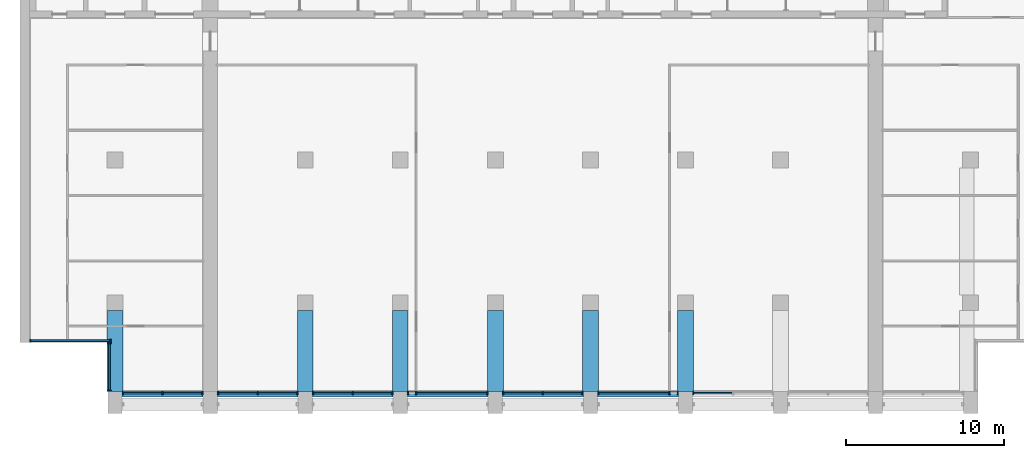
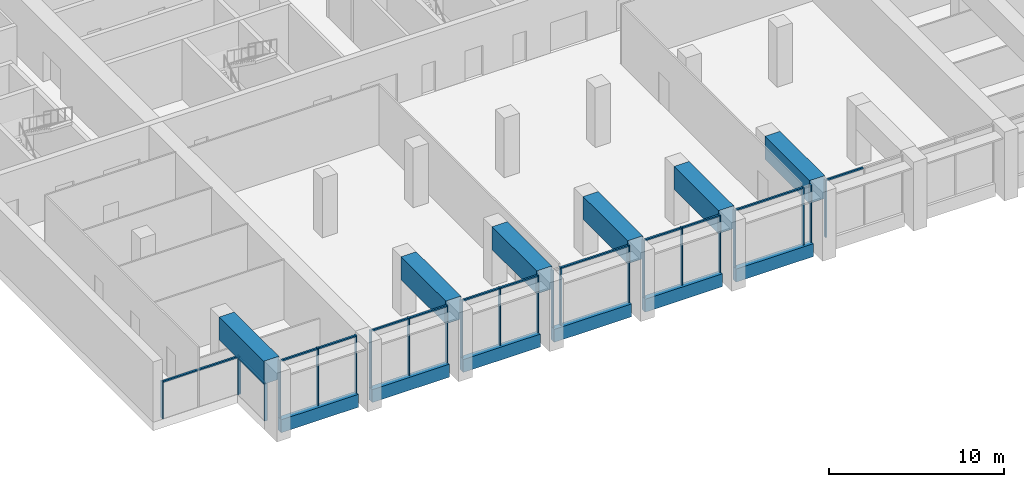
# One storey, part 2 of 13: 36 members, 12 beams, 9 elements without a shape of their own.
"""IFC4 building model written with IfcOpenShell, lengths in metres."""

from ifc_helpers import new_model, si_unit, direction, frame, origin, origin_2d, place, context, subcontext, project, spatial, rectangle, extrude, material, material_profile, profile_set, type_object, element, aggregate, save


model = new_model("IFC4")

# Units and contexts
model_context = context("Model", 3, precision=1e-05, world=origin(), true_north=direction((0.0, 1.0)))
body_context = subcontext(model_context, "Body", "Model", "MODEL_VIEW")
ifc_project = project(units=[si_unit("LENGTHUNIT", "METRE"), si_unit("AREAUNIT", "SQUARE_METRE"), si_unit("VOLUMEUNIT", "CUBIC_METRE"), si_unit("PLANEANGLEUNIT", "RADIAN"), si_unit("MASSUNIT", "GRAM", prefix="KILO")], contexts=[model_context])

# Site, building, storey
site_placement = place(None, origin())
site = spatial("IfcSite", under=ifc_project, at=site_placement, CompositionType="ELEMENT")
building_placement = place(site_placement, origin())
building = spatial("IfcBuilding", under=site, at=building_placement, Name="Calvaro Tower", CompositionType="ELEMENT")
storey_placement = place(building_placement, frame((0.0, 0.0, 226.75)))
storey = spatial("IfcBuildingStorey", under=building, at=storey_placement, Name="L57", CompositionType="ELEMENT", Elevation=226.75)

# Curtain wall, members
ifc_material_1 = material(Name="Anodised aluminium", Category="aluminium")
curtain_wall_type = type_object("IfcCurtainWallType", Name="Louvre wall", PredefinedType="NOTDEFINED", material=ifc_material_1)
curtain_wall_1_placement = place(storey_placement, origin())
curtain_wall_1 = element("IfcCurtainWall", 1, at=curtain_wall_1_placement, inside=storey, type_object=curtain_wall_type, Name="CW8 south louvre wall", PredefinedType="NOTDEFINED")
ifc_material_2 = material(Name="Anodised aluminium", Category="aluminium")
ifc_material_profile_1 = material_profile(ifc_material_2, rectangle(XDim=0.199951171875, YDim=0.080078125, at=origin_2d()), Name="Mullion LV 80 x 200")
ifc_profile_set_1 = profile_set([ifc_material_profile_1], Name="Anodised aluminium")
member_type_1 = type_object("IfcMemberType", Name="Mullion LV 80 x 200", PredefinedType="MULLION", material=ifc_profile_set_1)
member_1_placement = place(storey_placement, frame((12.489990234375, 4.300048828125, 0.0), z_axis=(0.0, 0.0, 1.0), x_axis=(0.0, 1.0, 0.0)))
member_1 = element("IfcMember", 2, at=member_1_placement, type_object=member_type_1, Name="CW8 mullion 1", PredefinedType="MULLION", context=body_context, shape_type="SweptSolid", body=[
    extrude(rectangle(XDim=0.199951171875, YDim=0.080078125, at=origin_2d()), origin(), (0.0, 0.0, 1.0), 4.0),
])
member_2_placement = place(storey_placement, frame((15.0, 4.300048828125, 0.0), z_axis=(0.0, 0.0, 1.0), x_axis=(0.0, 1.0, 0.0)))
member_2 = element("IfcMember", 3, at=member_2_placement, type_object=member_type_1, Name="CW8 mullion 2", PredefinedType="MULLION", context=body_context, shape_type="SweptSolid", body=[
    extrude(rectangle(XDim=0.199951171875, YDim=0.080078125, at=origin_2d()), origin(), (0.0, 0.0, 1.0), 4.0),
])
member_3_placement = place(storey_placement, frame((17.510009765625, 4.300048828125, 0.0), z_axis=(0.0, 0.0, 1.0), x_axis=(0.0, 1.0, 0.0)))
member_3 = element("IfcMember", 4, at=member_3_placement, type_object=member_type_1, Name="CW8 mullion 3", PredefinedType="MULLION", context=body_context, shape_type="SweptSolid", body=[
    extrude(rectangle(XDim=0.199951171875, YDim=0.080078125, at=origin_2d()), origin(), (0.0, 0.0, 1.0), 4.0),
])

curtain_wall_2_placement = place(storey_placement, origin())
curtain_wall_2 = element("IfcCurtainWall", 5, at=curtain_wall_2_placement, inside=storey, type_object=curtain_wall_type, Name="CW8 south louvre wall", PredefinedType="NOTDEFINED")
member_4_placement = place(storey_placement, frame((18.489990234375, 4.300048828125, 0.0), z_axis=(0.0, 0.0, 1.0), x_axis=(0.0, 1.0, 0.0)))
member_4 = element("IfcMember", 6, at=member_4_placement, type_object=member_type_1, Name="CW8 mullion 1", PredefinedType="MULLION", context=body_context, shape_type="SweptSolid", body=[
    extrude(rectangle(XDim=0.199951171875, YDim=0.080078125, at=origin_2d()), origin(), (0.0, 0.0, 1.0), 4.0),
])
member_5_placement = place(storey_placement, frame((21.0, 4.300048828125, 0.0), z_axis=(0.0, 0.0, 1.0), x_axis=(0.0, 1.0, 0.0)))
member_5 = element("IfcMember", 7, at=member_5_placement, type_object=member_type_1, Name="CW8 mullion 2", PredefinedType="MULLION", context=body_context, shape_type="SweptSolid", body=[
    extrude(rectangle(XDim=0.199951171875, YDim=0.080078125, at=origin_2d()), origin(), (0.0, 0.0, 1.0), 4.0),
])
member_6_placement = place(storey_placement, frame((23.510009765625, 4.300048828125, 0.0), z_axis=(0.0, 0.0, 1.0), x_axis=(0.0, 1.0, 0.0)))
member_6 = element("IfcMember", 8, at=member_6_placement, type_object=member_type_1, Name="CW8 mullion 3", PredefinedType="MULLION", context=body_context, shape_type="SweptSolid", body=[
    extrude(rectangle(XDim=0.199951171875, YDim=0.080078125, at=origin_2d()), origin(), (0.0, 0.0, 1.0), 4.0),
])

curtain_wall_3_placement = place(storey_placement, origin())
curtain_wall_3 = element("IfcCurtainWall", 9, at=curtain_wall_3_placement, inside=storey, type_object=curtain_wall_type, Name="CW8 south louvre wall", PredefinedType="NOTDEFINED")
member_7_placement = place(storey_placement, frame((24.489990234375, 4.300048828125, 0.0), z_axis=(0.0, 0.0, 1.0), x_axis=(0.0, 1.0, 0.0)))
member_7 = element("IfcMember", 10, at=member_7_placement, type_object=member_type_1, Name="CW8 mullion 1", PredefinedType="MULLION", context=body_context, shape_type="SweptSolid", body=[
    extrude(rectangle(XDim=0.199951171875, YDim=0.080078125, at=origin_2d()), origin(), (0.0, 0.0, 1.0), 4.0),
])
member_8_placement = place(storey_placement, frame((27.0, 4.300048828125, 0.0), z_axis=(0.0, 0.0, 1.0), x_axis=(0.0, 1.0, 0.0)))
member_8 = element("IfcMember", 11, at=member_8_placement, type_object=member_type_1, Name="CW8 mullion 2", PredefinedType="MULLION", context=body_context, shape_type="SweptSolid", body=[
    extrude(rectangle(XDim=0.199951171875, YDim=0.080078125, at=origin_2d()), origin(), (0.0, 0.0, 1.0), 4.0),
])
member_9_placement = place(storey_placement, frame((29.510009765625, 4.300048828125, 0.0), z_axis=(0.0, 0.0, 1.0), x_axis=(0.0, 1.0, 0.0)))
member_9 = element("IfcMember", 12, at=member_9_placement, type_object=member_type_1, Name="CW8 mullion 3", PredefinedType="MULLION", context=body_context, shape_type="SweptSolid", body=[
    extrude(rectangle(XDim=0.199951171875, YDim=0.080078125, at=origin_2d()), origin(), (0.0, 0.0, 1.0), 4.0),
])

curtain_wall_4_placement = place(storey_placement, origin())
curtain_wall_4 = element("IfcCurtainWall", 13, at=curtain_wall_4_placement, inside=storey, type_object=curtain_wall_type, Name="CW8 south louvre wall", PredefinedType="NOTDEFINED")
member_10_placement = place(storey_placement, frame((30.489990234375, 4.300048828125, 0.0), z_axis=(0.0, 0.0, 1.0), x_axis=(0.0, 1.0, 0.0)))
member_10 = element("IfcMember", 14, at=member_10_placement, type_object=member_type_1, Name="CW8 mullion 1", PredefinedType="MULLION", context=body_context, shape_type="SweptSolid", body=[
    extrude(rectangle(XDim=0.199951171875, YDim=0.080078125, at=origin_2d()), origin(), (0.0, 0.0, 1.0), 4.0),
])
member_11_placement = place(storey_placement, frame((31.0, 4.300048828125, 0.0), z_axis=(0.0, 0.0, 1.0), x_axis=(0.0, 1.0, 0.0)))
member_11 = element("IfcMember", 15, at=member_11_placement, type_object=member_type_1, Name="CW8 mullion 2", PredefinedType="MULLION", context=body_context, shape_type="SweptSolid", body=[
    extrude(rectangle(XDim=0.199951171875, YDim=0.080078125, at=origin_2d()), origin(), (0.0, 0.0, 1.0), 4.0),
])
member_12_placement = place(storey_placement, frame((35.510009765625, 4.300048828125, 0.0), z_axis=(0.0, 0.0, 1.0), x_axis=(0.0, 1.0, 0.0)))
member_12 = element("IfcMember", 16, at=member_12_placement, type_object=member_type_1, Name="CW8 mullion 3", PredefinedType="MULLION", context=body_context, shape_type="SweptSolid", body=[
    extrude(rectangle(XDim=0.199951171875, YDim=0.080078125, at=origin_2d()), origin(), (0.0, 0.0, 1.0), 4.0),
])

curtain_wall_5_placement = place(storey_placement, origin())
curtain_wall_5 = element("IfcCurtainWall", 17, at=curtain_wall_5_placement, inside=storey, type_object=curtain_wall_type, Name="CW8 south louvre wall", PredefinedType="NOTDEFINED")
member_13_placement = place(storey_placement, frame((36.489990234375, 4.300048828125, 0.0), z_axis=(0.0, 0.0, 1.0), x_axis=(0.0, 1.0, 0.0)))
member_13 = element("IfcMember", 18, at=member_13_placement, type_object=member_type_1, Name="CW8 mullion 1", PredefinedType="MULLION", context=body_context, shape_type="SweptSolid", body=[
    extrude(rectangle(XDim=0.199951171875, YDim=0.080078125, at=origin_2d()), origin(), (0.0, 0.0, 1.0), 4.0),
])
member_14_placement = place(storey_placement, frame((39.0, 4.300048828125, 0.0), z_axis=(0.0, 0.0, 1.0), x_axis=(0.0, 1.0, 0.0)))
member_14 = element("IfcMember", 19, at=member_14_placement, type_object=member_type_1, Name="CW8 mullion 2", PredefinedType="MULLION", context=body_context, shape_type="SweptSolid", body=[
    extrude(rectangle(XDim=0.199951171875, YDim=0.080078125, at=origin_2d()), origin(), (0.0, 0.0, 1.0), 4.0),
])
member_15_placement = place(storey_placement, frame((41.510009765625, 4.300048828125, 0.0), z_axis=(0.0, 0.0, 1.0), x_axis=(0.0, 1.0, 0.0)))
member_15 = element("IfcMember", 20, at=member_15_placement, type_object=member_type_1, Name="CW8 mullion 3", PredefinedType="MULLION", context=body_context, shape_type="SweptSolid", body=[
    extrude(rectangle(XDim=0.199951171875, YDim=0.080078125, at=origin_2d()), origin(), (0.0, 0.0, 1.0), 4.0),
])

curtain_wall_6_placement = place(storey_placement, origin())
curtain_wall_6 = element("IfcCurtainWall", 21, at=curtain_wall_6_placement, inside=storey, type_object=curtain_wall_type, Name="CW8 south louvre wall", PredefinedType="NOTDEFINED")
member_16_placement = place(storey_placement, frame((42.489990234375, 4.300048828125, 0.0), z_axis=(0.0, 0.0, 1.0), x_axis=(0.0, 1.0, 0.0)))
member_16 = element("IfcMember", 22, at=member_16_placement, type_object=member_type_1, Name="CW8 mullion 1", PredefinedType="MULLION", context=body_context, shape_type="SweptSolid", body=[
    extrude(rectangle(XDim=0.199951171875, YDim=0.080078125, at=origin_2d()), origin(), (0.0, 0.0, 1.0), 4.0),
])
member_17_placement = place(storey_placement, frame((47.0, 4.300048828125, 0.0), z_axis=(0.0, 0.0, 1.0), x_axis=(0.0, 1.0, 0.0)))
member_17 = element("IfcMember", 23, at=member_17_placement, type_object=member_type_1, Name="CW8 mullion 2", PredefinedType="MULLION", context=body_context, shape_type="SweptSolid", body=[
    extrude(rectangle(XDim=0.199951171875, YDim=0.080078125, at=origin_2d()), origin(), (0.0, 0.0, 1.0), 4.0),
])
member_18_placement = place(storey_placement, frame((47.510009765625, 4.300048828125, 0.0), z_axis=(0.0, 0.0, 1.0), x_axis=(0.0, 1.0, 0.0)))
member_18 = element("IfcMember", 24, at=member_18_placement, type_object=member_type_1, Name="CW8 mullion 3", PredefinedType="MULLION", context=body_context, shape_type="SweptSolid", body=[
    extrude(rectangle(XDim=0.199951171875, YDim=0.080078125, at=origin_2d()), origin(), (0.0, 0.0, 1.0), 4.0),
])

# Curtain wall, member
curtain_wall_7_placement = place(storey_placement, origin())
curtain_wall_7 = element("IfcCurtainWall", 25, at=curtain_wall_7_placement, inside=storey, type_object=curtain_wall_type, Name="CW8 south louvre wall", PredefinedType="NOTDEFINED")
member_19_placement = place(storey_placement, frame((48.489990234375, 4.300048828125, 0.0), z_axis=(0.0, 0.0, 1.0), x_axis=(0.0, 1.0, 0.0)))
member_19 = element("IfcMember", 26, at=member_19_placement, type_object=member_type_1, Name="CW8 mullion 1", PredefinedType="MULLION", context=body_context, shape_type="SweptSolid", body=[
    extrude(rectangle(XDim=0.199951171875, YDim=0.080078125, at=origin_2d()), origin(), (0.0, 0.0, 1.0), 4.0),
])

# Curtain wall, members
curtain_wall_8_placement = place(storey_placement, origin())
curtain_wall_8 = element("IfcCurtainWall", 27, at=curtain_wall_8_placement, inside=storey, type_object=curtain_wall_type, Name="CW8 corner curtain wall", PredefinedType="NOTDEFINED")
member_20_placement = place(storey_placement, frame((11.64990234375, 4.43994140625, 0.0), z_axis=(0.0, 0.0, 1.0), x_axis=(-1.0, 0.0, 0.0)))
member_20 = element("IfcMember", 28, at=member_20_placement, type_object=member_type_1, Name="CW8 mullion 1", PredefinedType="MULLION", context=body_context, shape_type="SweptSolid", body=[
    extrude(rectangle(XDim=0.199951171875, YDim=0.080078125, at=origin_2d()), origin(), (0.0, 0.0, 1.0), 2.59912109375),
])
member_21_placement = place(storey_placement, frame((11.64990234375, 7.4599609375, 0.0), z_axis=(0.0, 0.0, 1.0), x_axis=(-1.0, 0.0, 0.0)))
member_21 = element("IfcMember", 29, at=member_21_placement, type_object=member_type_1, Name="CW8 mullion 2", PredefinedType="MULLION", context=body_context, shape_type="SweptSolid", body=[
    extrude(rectangle(XDim=0.199951171875, YDim=0.080078125, at=origin_2d()), origin(), (0.0, 0.0, 1.0), 2.59912109375),
])

curtain_wall_9_placement = place(storey_placement, origin())
curtain_wall_9 = element("IfcCurtainWall", 30, at=curtain_wall_9_placement, inside=storey, type_object=curtain_wall_type, Name="CW8 corner curtain wall", PredefinedType="NOTDEFINED")
member_22_placement = place(storey_placement, frame((6.639892578125, 7.60009765625, 0.0), z_axis=(0.0, 0.0, 1.0), x_axis=(0.0, 1.0, 0.0)))
member_22 = element("IfcMember", 31, at=member_22_placement, type_object=member_type_1, Name="CW8 mullion 1", PredefinedType="MULLION", context=body_context, shape_type="SweptSolid", body=[
    extrude(rectangle(XDim=0.199951171875, YDim=0.080078125, at=origin_2d()), origin(), (0.0, 0.0, 1.0), 2.59912109375),
])
member_23_placement = place(storey_placement, frame((11.7099609375, 7.60009765625, 0.0), z_axis=(0.0, 0.0, 1.0), x_axis=(0.0, 1.0, 0.0)))
member_23 = element("IfcMember", 32, at=member_23_placement, type_object=member_type_1, Name="CW8 mullion 2", PredefinedType="MULLION", context=body_context, shape_type="SweptSolid", body=[
    extrude(rectangle(XDim=0.199951171875, YDim=0.080078125, at=origin_2d()), origin(), (0.0, 0.0, 1.0), 2.59912109375),
])

# Beams
ifc_material_3 = material(Name="Concrete C50/60 precast", Category="concrete")
ifc_material_profile_2 = material_profile(ifc_material_3, rectangle(XDim=0.35009765625, YDim=0.89990234375, at=origin_2d()), Name="RC 350x900")
ifc_profile_set_2 = profile_set([ifc_material_profile_2], Name="Concrete C50/60 precast")
beam_type_1 = type_object("IfcBeamType", Name="Spandrel beam 350x900 C50/60", PredefinedType="SPANDREL", material=ifc_profile_set_2)
for number, where, z_axis, x_axis, name in (
    (33, (12.449951171875, 4.22509765625, -0.449951171875), (1.0, 0.0, 0.0), (0.0, 1.0, 0.0), "Spandrel beam"),
    (34, (18.449951171875, 4.22509765625, -0.449951171875), (1.0, 0.0, 0.0), (0.0, 1.0, 0.0), "Spandrel beam"),
    (35, (24.449951171875, 4.22509765625, -0.449951171875), (1.0, 0.0, 0.0), (0.0, 1.0, 0.0), "Spandrel beam"),
    (36, (30.449951171875, 4.22509765625, -0.449951171875), (1.0, 0.0, 0.0), (0.0, 1.0, 0.0), "Spandrel beam"),
    (37, (36.449951171875, 4.22509765625, -0.449951171875), (1.0, 0.0, 0.0), (0.0, 1.0, 0.0), "Spandrel beam"),
    (38, (42.449951171875, 4.22509765625, -0.449951171875), (1.0, 0.0, 0.0), (0.0, 1.0, 0.0), "Spandrel beam"),
):
    element("IfcBeam", number, at=place(storey_placement, frame(where, z_axis=z_axis, x_axis=x_axis)), inside=storey, type_object=beam_type_1, Name=name, PredefinedType="SPANDREL", context=body_context, shape_type="SweptSolid", body=[
        extrude(rectangle(XDim=0.35009765625, YDim=0.89990234375, at=origin_2d()), origin(), (0.0, 0.0, 1.0), 5.10009765625),
    ])
ifc_material_4 = material(Name="Concrete C60/75", Category="concrete")
ifc_material_profile_3 = material_profile(ifc_material_4, rectangle(XDim=1.0, YDim=1.60009765625, at=origin_2d()), Name="RC 1000x1600")
ifc_profile_set_3 = profile_set([ifc_material_profile_3], Name="Concrete C60/75")
beam_type_2 = type_object("IfcBeamType", Name="Transfer girder 1000x1600 C60/75", PredefinedType="BEAM", material=ifc_profile_set_3)
for number, where, z_axis, x_axis, name in (
    (39, (12.0, 4.39990234375, 3.39990234375), (0.0, 1.0, 0.0), (-1.0, 0.0, 0.0), "Transfer girder"),
    (40, (24.0, 4.39990234375, 3.39990234375), (0.0, 1.0, 0.0), (-1.0, 0.0, 0.0), "Transfer girder"),
    (41, (30.0, 4.39990234375, 3.39990234375), (0.0, 1.0, 0.0), (-1.0, 0.0, 0.0), "Transfer girder"),
    (42, (36.0, 4.39990234375, 3.39990234375), (0.0, 1.0, 0.0), (-1.0, 0.0, 0.0), "Transfer girder"),
    (43, (42.0, 4.39990234375, 3.39990234375), (0.0, 1.0, 0.0), (-1.0, 0.0, 0.0), "Transfer girder"),
    (44, (48.0, 4.39990234375, 3.39990234375), (0.0, 1.0, 0.0), (-1.0, 0.0, 0.0), "Transfer girder"),
):
    element("IfcBeam", number, at=place(storey_placement, frame(where, z_axis=z_axis, x_axis=x_axis)), inside=storey, type_object=beam_type_2, Name=name, PredefinedType="BEAM", context=body_context, shape_type="SweptSolid", body=[
        extrude(rectangle(XDim=1.0, YDim=1.60009765625, at=origin_2d()), origin(), (0.0, 0.0, 1.0), 5.10009765625),
    ])

# Member
ifc_material_5 = material(Name="Anodised aluminium", Category="aluminium")
ifc_material_profile_4 = material_profile(ifc_material_5, rectangle(XDim=0.1201171875, YDim=0.10009765625, at=origin_2d()), Name="Transom LV 100 x 120")
ifc_profile_set_4 = profile_set([ifc_material_profile_4], Name="Anodised aluminium")
member_type_2 = type_object("IfcMemberType", Name="Transom LV 100 x 120", PredefinedType="USERDEFINED", material=ifc_profile_set_4)
member_24_placement = place(storey_placement, frame((12.530029296875, 4.300048828125, 3.949951171875), z_axis=(1.0, 0.0, 0.0), x_axis=(0.0, 1.0, 0.0)))
member_24 = element("IfcMember", 45, at=member_24_placement, type_object=member_type_2, Name="CW8 transom 1.1", ObjectType="TRANSOM", PredefinedType="USERDEFINED", context=body_context, shape_type="SweptSolid", body=[
    extrude(rectangle(XDim=0.1201171875, YDim=0.10009765625, at=origin_2d()), origin(), (0.0, 0.0, 1.0), 2.429931640625),
])

member_25_placement = place(storey_placement, frame((15.0400390625, 4.300048828125, 3.949951171875), z_axis=(1.0, 0.0, 0.0), x_axis=(0.0, 1.0, 0.0)))
member_25 = element("IfcMember", 46, at=member_25_placement, type_object=member_type_2, Name="CW8 transom 2.1", ObjectType="TRANSOM", PredefinedType="USERDEFINED", context=body_context, shape_type="SweptSolid", body=[
    extrude(rectangle(XDim=0.1201171875, YDim=0.10009765625, at=origin_2d()), origin(), (0.0, 0.0, 1.0), 2.429931640625),
])

aggregate(curtain_wall_1, [member_1, member_2, member_3, member_24, member_25])

member_26_placement = place(storey_placement, frame((18.530029296875, 4.300048828125, 3.949951171875), z_axis=(1.0, 0.0, 0.0), x_axis=(0.0, 1.0, 0.0)))
member_26 = element("IfcMember", 47, at=member_26_placement, type_object=member_type_2, Name="CW8 transom 1.1", ObjectType="TRANSOM", PredefinedType="USERDEFINED", context=body_context, shape_type="SweptSolid", body=[
    extrude(rectangle(XDim=0.1201171875, YDim=0.10009765625, at=origin_2d()), origin(), (0.0, 0.0, 1.0), 2.429931640625),
])

member_27_placement = place(storey_placement, frame((21.0400390625, 4.300048828125, 3.949951171875), z_axis=(1.0, 0.0, 0.0), x_axis=(0.0, 1.0, 0.0)))
member_27 = element("IfcMember", 48, at=member_27_placement, type_object=member_type_2, Name="CW8 transom 2.1", ObjectType="TRANSOM", PredefinedType="USERDEFINED", context=body_context, shape_type="SweptSolid", body=[
    extrude(rectangle(XDim=0.1201171875, YDim=0.10009765625, at=origin_2d()), origin(), (0.0, 0.0, 1.0), 2.429931640625),
])

aggregate(curtain_wall_2, [member_4, member_5, member_6, member_26, member_27])

member_28_placement = place(storey_placement, frame((24.530029296875, 4.300048828125, 3.949951171875), z_axis=(1.0, 0.0, 0.0), x_axis=(0.0, 1.0, 0.0)))
member_28 = element("IfcMember", 49, at=member_28_placement, type_object=member_type_2, Name="CW8 transom 1.1", ObjectType="TRANSOM", PredefinedType="USERDEFINED", context=body_context, shape_type="SweptSolid", body=[
    extrude(rectangle(XDim=0.1201171875, YDim=0.10009765625, at=origin_2d()), origin(), (0.0, 0.0, 1.0), 2.429931640625),
])

member_29_placement = place(storey_placement, frame((27.0400390625, 4.300048828125, 3.949951171875), z_axis=(1.0, 0.0, 0.0), x_axis=(0.0, 1.0, 0.0)))
member_29 = element("IfcMember", 50, at=member_29_placement, type_object=member_type_2, Name="CW8 transom 2.1", ObjectType="TRANSOM", PredefinedType="USERDEFINED", context=body_context, shape_type="SweptSolid", body=[
    extrude(rectangle(XDim=0.1201171875, YDim=0.10009765625, at=origin_2d()), origin(), (0.0, 0.0, 1.0), 2.429931640625),
])

aggregate(curtain_wall_3, [member_7, member_8, member_9, member_28, member_29])

member_30_placement = place(storey_placement, frame((31.0400390625, 4.300048828125, 3.949951171875), z_axis=(1.0, 0.0, 0.0), x_axis=(0.0, 1.0, 0.0)))
member_30 = element("IfcMember", 51, at=member_30_placement, type_object=member_type_2, Name="CW8 transom 2.1", ObjectType="TRANSOM", PredefinedType="USERDEFINED", context=body_context, shape_type="SweptSolid", body=[
    extrude(rectangle(XDim=0.1201171875, YDim=0.10009765625, at=origin_2d()), origin(), (0.0, 0.0, 1.0), 4.429931640625),
])

aggregate(curtain_wall_4, [member_10, member_11, member_12, member_30])

member_31_placement = place(storey_placement, frame((36.530029296875, 4.300048828125, 3.949951171875), z_axis=(1.0, 0.0, 0.0), x_axis=(0.0, 1.0, 0.0)))
member_31 = element("IfcMember", 52, at=member_31_placement, type_object=member_type_2, Name="CW8 transom 1.1", ObjectType="TRANSOM", PredefinedType="USERDEFINED", context=body_context, shape_type="SweptSolid", body=[
    extrude(rectangle(XDim=0.1201171875, YDim=0.10009765625, at=origin_2d()), origin(), (0.0, 0.0, 1.0), 2.429931640625),
])

member_32_placement = place(storey_placement, frame((39.0400390625, 4.300048828125, 3.949951171875), z_axis=(1.0, 0.0, 0.0), x_axis=(0.0, 1.0, 0.0)))
member_32 = element("IfcMember", 53, at=member_32_placement, type_object=member_type_2, Name="CW8 transom 2.1", ObjectType="TRANSOM", PredefinedType="USERDEFINED", context=body_context, shape_type="SweptSolid", body=[
    extrude(rectangle(XDim=0.1201171875, YDim=0.10009765625, at=origin_2d()), origin(), (0.0, 0.0, 1.0), 2.429931640625),
])

aggregate(curtain_wall_5, [member_13, member_14, member_15, member_31, member_32])

member_33_placement = place(storey_placement, frame((42.530029296875, 4.300048828125, 3.949951171875), z_axis=(1.0, 0.0, 0.0), x_axis=(0.0, 1.0, 0.0)))
member_33 = element("IfcMember", 54, at=member_33_placement, type_object=member_type_2, Name="CW8 transom 1.1", ObjectType="TRANSOM", PredefinedType="USERDEFINED", context=body_context, shape_type="SweptSolid", body=[
    extrude(rectangle(XDim=0.1201171875, YDim=0.10009765625, at=origin_2d()), origin(), (0.0, 0.0, 1.0), 4.429931640625),
])

aggregate(curtain_wall_6, [member_16, member_17, member_18, member_33])

member_34_placement = place(storey_placement, frame((48.530029296875, 4.300048828125, 3.949951171875), z_axis=(1.0, 0.0, 0.0), x_axis=(0.0, 1.0, 0.0)))
member_34 = element("IfcMember", 55, at=member_34_placement, type_object=member_type_2, Name="CW8 transom 1.1", ObjectType="TRANSOM", PredefinedType="USERDEFINED", context=body_context, shape_type="SweptSolid", body=[
    extrude(rectangle(XDim=0.1201171875, YDim=0.10009765625, at=origin_2d()), origin(), (0.0, 0.0, 1.0), 2.429931640625),
])

aggregate(curtain_wall_7, [member_19, member_34])

member_35_placement = place(storey_placement, frame((11.64990234375, 4.47998046875, 2.549072265625), z_axis=(0.0, 1.0, 0.0), x_axis=(-1.0, 0.0, 0.0)))
member_35 = element("IfcMember", 56, at=member_35_placement, type_object=member_type_2, Name="CW8 transom 1.1", ObjectType="TRANSOM", PredefinedType="USERDEFINED", context=body_context, shape_type="SweptSolid", body=[
    extrude(rectangle(XDim=0.1201171875, YDim=0.10009765625, at=origin_2d()), origin(), (0.0, 0.0, 1.0), 2.93994140625),
])

aggregate(curtain_wall_8, [member_20, member_21, member_35])

member_36_placement = place(storey_placement, frame((6.679931640625, 7.60009765625, 2.549072265625), z_axis=(1.0, 0.0, 0.0), x_axis=(0.0, 1.0, 0.0)))
member_36 = element("IfcMember", 57, at=member_36_placement, type_object=member_type_2, Name="CW8 transom 1.1", ObjectType="TRANSOM", PredefinedType="USERDEFINED", context=body_context, shape_type="SweptSolid", body=[
    extrude(rectangle(XDim=0.1201171875, YDim=0.10009765625, at=origin_2d()), origin(), (0.0, 0.0, 1.0), 4.989990234375),
])

aggregate(curtain_wall_9, [member_22, member_23, member_36])

save(model, "model.ifc")
